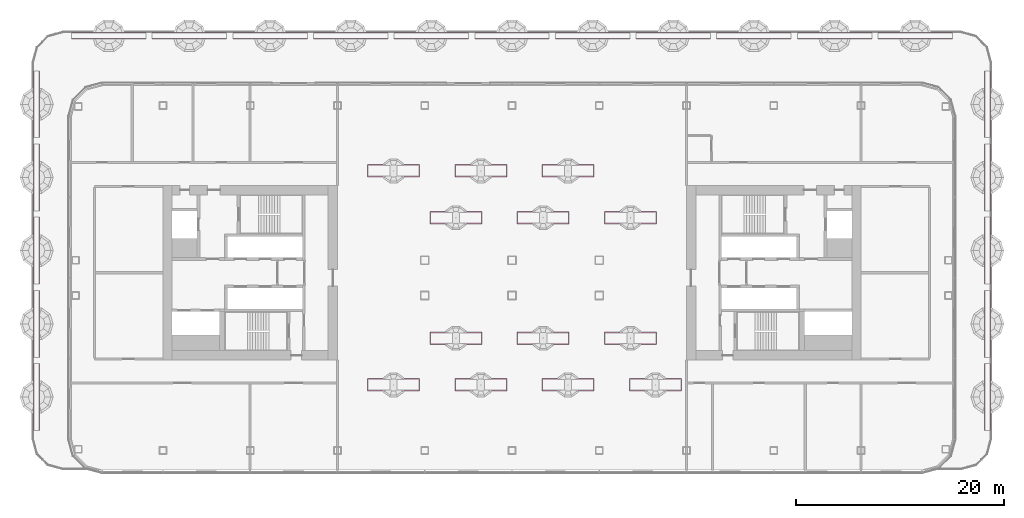
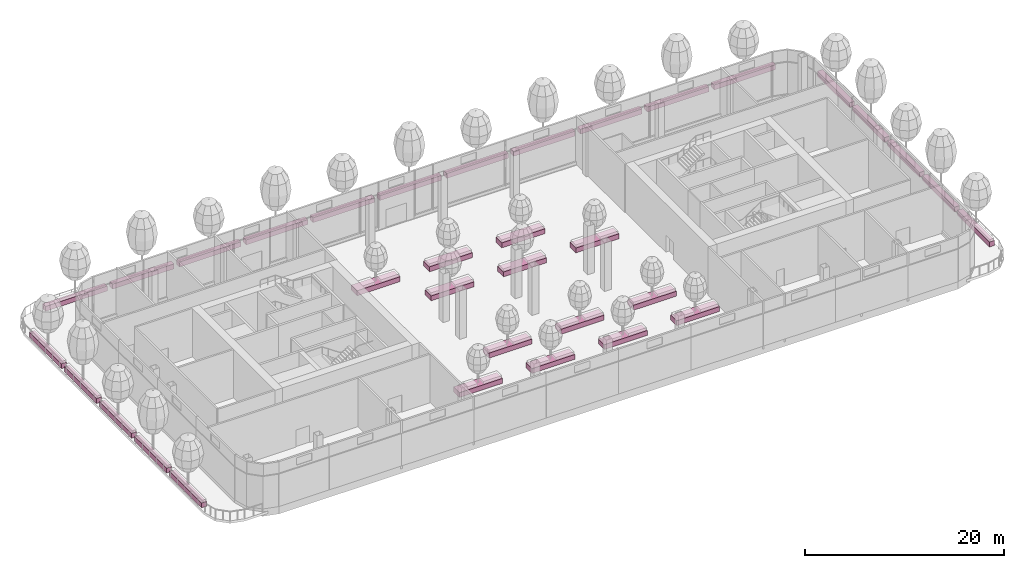
# One storey, part 36 of 43: 34 furniture elements.
"""IFC4 building model written with IfcOpenShell, lengths in metres."""

from ifc_helpers import new_model, si_unit, direction, frame, origin, origin_2d, place, context, subcontext, project, spatial, rectangle, extrude, material, type_object, element, save


model = new_model("IFC4")

# Units and contexts
model_context = context("Model", 3, precision=1e-05, world=origin(), true_north=direction((0.0, 1.0)))
body_context = subcontext(model_context, "Body", "Model", "MODEL_VIEW")
ifc_project = project(units=[si_unit("LENGTHUNIT", "METRE"), si_unit("AREAUNIT", "SQUARE_METRE"), si_unit("VOLUMEUNIT", "CUBIC_METRE"), si_unit("PLANEANGLEUNIT", "RADIAN"), si_unit("MASSUNIT", "GRAM", prefix="KILO")], contexts=[model_context])

# Site, building, storey
site_placement = place(None, origin())
site = spatial("IfcSite", under=ifc_project, at=site_placement, CompositionType="ELEMENT")
building_placement = place(site_placement, origin())
building = spatial("IfcBuilding", under=site, at=building_placement, Name="Hakoniwa Tower and Hamabe Station Hall", CompositionType="ELEMENT")
storey_placement = place(building_placement, frame((0.0, 0.0, 124.60009765625)))
storey = spatial("IfcBuildingStorey", under=building, at=storey_placement, Name="L35", CompositionType="ELEMENT", Elevation=124.60009765625)

# Furniture
ifc_material_1 = material(Name="Aluminium 6063-T5 black anodised trough with lightweight soil", Category="aluminium")
furniture_type_1 = type_object("IfcFurnitureType", Name="Planter 1200x600", AssemblyPlace="SITE", PredefinedType="USERDEFINED", material=ifc_material_1)
for number, where, z_axis, x_axis, name in (
    (1, (-5.39990234375, 5.300048828125, -0.000244140625), (0.0, 0.0, 1.0), (1.0, 0.0, 0.0), "Planter 1200x600"),
    (2, (3.0, 5.300048828125, -0.000244140625), (0.0, 0.0, 1.0), (1.0, 0.0, 0.0), "Planter 1200x600"),
    (3, (11.39990234375, 5.300048828125, -0.000244140625), (0.0, 0.0, 1.0), (1.0, 0.0, 0.0), "Planter 1200x600"),
    (4, (-11.39990234375, 9.800048828125, -0.000244140625), (0.0, 0.0, 1.0), (1.0, 0.0, 0.0), "Planter 1200x600"),
    (5, (-3.0, 9.800048828125, -0.000244140625), (0.0, 0.0, 1.0), (1.0, 0.0, 0.0), "Planter 1200x600"),
    (6, (5.39990234375, 9.800048828125, -0.000244140625), (0.0, 0.0, 1.0), (1.0, 0.0, 0.0), "Planter 1200x600"),
    (7, (-5.39990234375, -6.300048828125, -0.000244140625), (0.0, 0.0, 1.0), (1.0, 0.0, 0.0), "Planter 1200x600"),
    (8, (3.0, -6.300048828125, -0.000244140625), (0.0, 0.0, 1.0), (1.0, 0.0, 0.0), "Planter 1200x600"),
    (9, (11.39990234375, -6.300048828125, -0.000244140625), (0.0, 0.0, 1.0), (1.0, 0.0, 0.0), "Planter 1200x600"),
    (10, (-11.39990234375, -10.800048828125, -0.000244140625), (0.0, 0.0, 1.0), (1.0, 0.0, 0.0), "Planter 1200x600"),
    (11, (-3.0, -10.800048828125, -0.000244140625), (0.0, 0.0, 1.0), (1.0, 0.0, 0.0), "Planter 1200x600"),
    (12, (5.39990234375, -10.800048828125, -0.000244140625), (0.0, 0.0, 1.0), (1.0, 0.0, 0.0), "Planter 1200x600"),
    (13, (13.800048828125, -10.800048828125, -0.000244140625), (0.0, 0.0, 1.0), (1.0, 0.0, 0.0), "Planter 1200x600"),
):
    element("IfcFurniture", number, at=place(storey_placement, frame(where, z_axis=z_axis, x_axis=x_axis)), inside=storey, type_object=furniture_type_1, Name=name, ObjectType="PLANTER", PredefinedType="USERDEFINED", context=body_context, shape_type="SweptSolid", body=[
        extrude(rectangle(XDim=5.0, YDim=1.199951171875, at=origin_2d()), origin(), (0.0, 0.0, 1.0), 0.60009765625),
    ])
ifc_material_2 = material(Name="Aluminium 6063-T5 black anodised trough with lightweight soil", Category="aluminium")
furniture_type_2 = type_object("IfcFurnitureType", Name="Planter 600x600", AssemblyPlace="SITE", PredefinedType="USERDEFINED", material=ifc_material_2)
for number, where, z_axis, x_axis, name in (
    (14, (45.7509765625, -11.96435546875, -0.000244140625), (0.0, 0.0, 1.0), (0.0, 1.0, 0.0), "Planter 600x600"),
    (15, (45.7509765625, -4.919677734375, -0.000244140625), (0.0, 0.0, 1.0), (0.0, 1.0, 0.0), "Planter 600x600"),
    (16, (45.7509765625, 2.125, -0.000244140625), (0.0, 0.0, 1.0), (0.0, 1.0, 0.0), "Planter 600x600"),
    (17, (45.7509765625, 9.169677734375, -0.000244140625), (0.0, 0.0, 1.0), (0.0, 1.0, 0.0), "Planter 600x600"),
    (18, (45.7509765625, 16.21435546875, -0.000244140625), (0.0, 0.0, 1.0), (0.0, 1.0, 0.0), "Planter 600x600"),
):
    element("IfcFurniture", number, at=place(storey_placement, frame(where, z_axis=z_axis, x_axis=x_axis)), inside=storey, type_object=furniture_type_2, Name=name, ObjectType="PLANTER", PredefinedType="USERDEFINED", context=body_context, shape_type="SweptSolid", body=[
        extrude(rectangle(XDim=6.44482421875, YDim=0.60009765625, at=origin_2d()), origin(), (0.0, 0.0, 1.0), 0.60009765625),
    ])
for number, where, z_axis, x_axis, name in (
    (19, (38.80615234375, 22.801025390625, -0.000244140625), (0.0, 0.0, 1.0), (-1.0, 0.0, 0.0), "Planter 600x600"),
    (20, (31.044921875, 22.801025390625, -0.000244140625), (0.0, 0.0, 1.0), (-1.0, 0.0, 0.0), "Planter 600x600"),
    (21, (23.28369140625, 22.801025390625, -0.000244140625), (0.0, 0.0, 1.0), (-1.0, 0.0, 0.0), "Planter 600x600"),
    (22, (15.5224609375, 22.801025390625, -0.000244140625), (0.0, 0.0, 1.0), (-1.0, 0.0, 0.0), "Planter 600x600"),
    (23, (7.76123046875, 22.801025390625, -0.000244140625), (0.0, 0.0, 1.0), (-1.0, 0.0, 0.0), "Planter 600x600"),
    (24, (0.0, 22.801025390625, -0.000244140625), (0.0, 0.0, 1.0), (-1.0, 0.0, 0.0), "Planter 600x600"),
    (25, (-7.76123046875, 22.801025390625, -0.000244140625), (0.0, 0.0, 1.0), (-1.0, 0.0, 0.0), "Planter 600x600"),
    (26, (-15.5224609375, 22.801025390625, -0.000244140625), (0.0, 0.0, 1.0), (-1.0, 0.0, 0.0), "Planter 600x600"),
    (27, (-23.28369140625, 22.801025390625, -0.000244140625), (0.0, 0.0, 1.0), (-1.0, 0.0, 0.0), "Planter 600x600"),
    (28, (-31.044921875, 22.801025390625, -0.000244140625), (0.0, 0.0, 1.0), (-1.0, 0.0, 0.0), "Planter 600x600"),
    (29, (-38.80615234375, 22.801025390625, -0.000244140625), (0.0, 0.0, 1.0), (-1.0, 0.0, 0.0), "Planter 600x600"),
):
    element("IfcFurniture", number, at=place(storey_placement, frame(where, z_axis=z_axis, x_axis=x_axis)), inside=storey, type_object=furniture_type_2, Name=name, ObjectType="PLANTER", PredefinedType="USERDEFINED", context=body_context, shape_type="SweptSolid", body=[
        extrude(rectangle(XDim=7.1611328125, YDim=0.60009765625, at=origin_2d()), origin(), (0.0, 0.0, 1.0), 0.60009765625),
    ])
for number, where, z_axis, x_axis, name in (
    (30, (-45.7509765625, 16.21435546875, -0.000244140625), (0.0, 0.0, 1.0), (0.0, -1.0, 0.0), "Planter 600x600"),
    (31, (-45.7509765625, 9.169677734375, -0.000244140625), (0.0, 0.0, 1.0), (0.0, -1.0, 0.0), "Planter 600x600"),
    (32, (-45.7509765625, 2.125, -0.000244140625), (0.0, 0.0, 1.0), (0.0, -1.0, 0.0), "Planter 600x600"),
    (33, (-45.7509765625, -4.919677734375, -0.000244140625), (0.0, 0.0, 1.0), (0.0, -1.0, 0.0), "Planter 600x600"),
    (34, (-45.7509765625, -11.96435546875, -0.000244140625), (0.0, 0.0, 1.0), (0.0, -1.0, 0.0), "Planter 600x600"),
):
    element("IfcFurniture", number, at=place(storey_placement, frame(where, z_axis=z_axis, x_axis=x_axis)), inside=storey, type_object=furniture_type_2, Name=name, ObjectType="PLANTER", PredefinedType="USERDEFINED", context=body_context, shape_type="SweptSolid", body=[
        extrude(rectangle(XDim=6.44482421875, YDim=0.60009765625, at=origin_2d()), origin(), (0.0, 0.0, 1.0), 0.60009765625),
    ])

save(model, "model.ifc")
